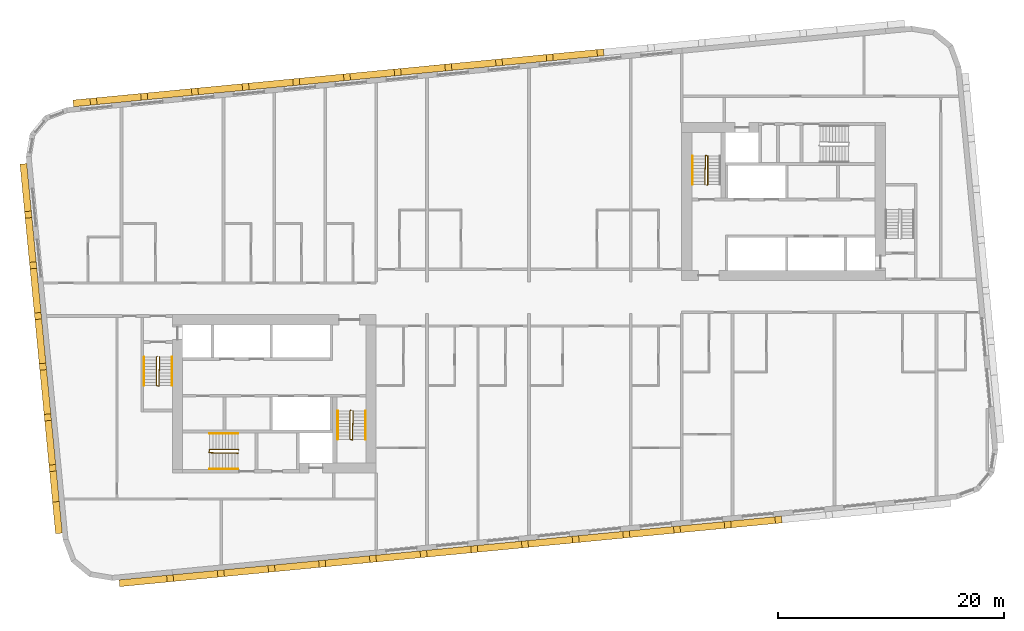
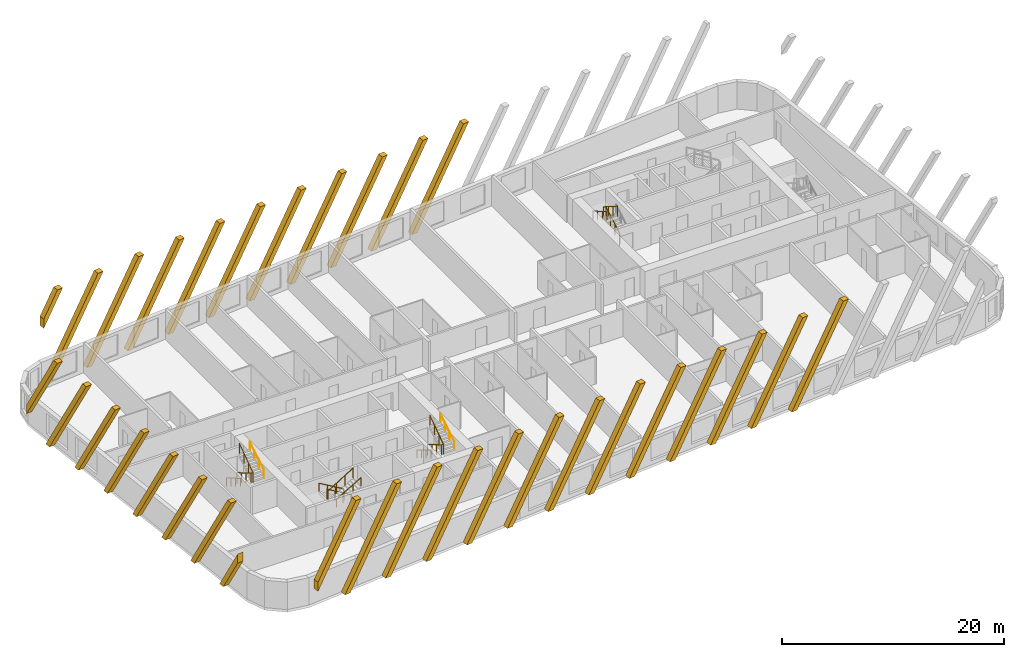
# One storey, part 12 of 13: 32 coverings, 11 railings.
"""IFC4 building model written with IfcOpenShell, lengths in metres."""

from ifc_helpers import new_model, si_unit, direction, frame, origin, origin_2d, place, context, subcontext, project, spatial, polyline, rectangle, circle, outline, extrude, material, material_profile, profile_set, type_object, element, save


model = new_model("IFC4")

# Units and contexts
model_context = context("Model", 3, precision=1e-05, world=origin(), true_north=direction((0.0, 1.0)))
body_context = subcontext(model_context, "Body", "Model", "MODEL_VIEW")
ifc_project = project(units=[si_unit("LENGTHUNIT", "METRE"), si_unit("AREAUNIT", "SQUARE_METRE"), si_unit("VOLUMEUNIT", "CUBIC_METRE"), si_unit("PLANEANGLEUNIT", "RADIAN"), si_unit("MASSUNIT", "GRAM", prefix="KILO")], contexts=[model_context])

# Site, building, storey
site_placement = place(None, origin())
site = spatial("IfcSite", under=ifc_project, at=site_placement, CompositionType="ELEMENT")
building_placement = place(site_placement, origin())
building = spatial("IfcBuilding", under=site, at=building_placement, Name="Kajstack Hotel Tower", CompositionType="ELEMENT")
storey_placement = place(building_placement, frame((0.0, 0.0, 176.800048828125)))
storey = spatial("IfcBuildingStorey", under=building, at=storey_placement, Name="L41", CompositionType="ELEMENT", Elevation=176.800048828125)

# Coverings
ifc_material_1 = material(Name="Terracotta", Category="masonry")
ifc_material_profile = material_profile(ifc_material_1, rectangle(XDim=0.60009765625, YDim=0.5, at=origin_2d()), Name="Terracotta-clad concrete baguette 500 x 600")
ifc_profile_set = profile_set([ifc_material_profile], Name="Terracotta")
covering_type = type_object("IfcCoveringType", Name="BAGUETTE 500x600", PredefinedType="CLADDING", material=ifc_profile_set)
covering_1_placement = place(storey_placement, frame((-44.380859375, 11.846923828125, 0.0), z_axis=(-0.995377661201, -0.096038073607, 0.0), x_axis=(0.096038073607, -0.995377661201, 0.0)))
element("IfcCovering", 1, at=covering_1_placement, inside=storey, type_object=covering_type, Name="Baguette L41-00-001", PredefinedType="CLADDING", context=body_context, shape_type="SweptSolid", body=[
    extrude(outline(polyline([(4.21142578125, 9.89990234375), (0.0, 2.605712890625), (0.0, 1.605712890625), (4.78857421875, 9.89990234375), (4.21142578125, 9.89990234375)])), origin(), (0.0, 0.0, 1.0), 0.599853515625),
])
for number, where, z_axis, x_axis, name in (
    (2, (-44.09375, 8.864990234375, 0.0), (-0.995416482233, -0.095634862357, 0.0), (0.095634862357, -0.995416482233, 0.0), "Baguette L41-00-005"),
    (3, (-43.662353515625, 4.3857421875, 0.0), (-0.995416482233, -0.095634862357, 0.0), (0.095634862357, -0.995416482233, 0.0), "Baguette L41-00-009"),
    (4, (-43.231201171875, -0.093505859375, 0.0), (-0.995416482233, -0.095634862357, 0.0), (0.095634862357, -0.995416482233, 0.0), "Baguette L41-00-013"),
    (5, (-42.7998046875, -4.57275390625, 0.0), (-0.995377661201, -0.096038073607, 0.0), (0.096038073607, -0.995377661201, 0.0), "Baguette L41-00-017"),
):
    element("IfcCovering", number, at=place(storey_placement, frame(where, z_axis=z_axis, x_axis=x_axis)), inside=storey, type_object=covering_type, Name=name, PredefinedType="CLADDING", context=body_context, shape_type="SweptSolid", body=[
        extrude(outline(polyline([(5.7158203125, 9.89990234375), (0.0, 0.0), (0.577392578125, 0.0), (6.293212890625, 9.89990234375), (5.7158203125, 9.89990234375)])), origin(), (0.0, 0.0, 1.0), 0.599853515625),
    ])
covering_2_placement = place(storey_placement, frame((-42.368408203125, -9.052001953125, 0.0), z_axis=(-0.995381412265, -0.095999188106, 0.0), x_axis=(0.095999188106, -0.995381412265, 0.0)))
element("IfcCovering", 6, at=covering_2_placement, inside=storey, type_object=covering_type, Name="Baguette L41-00-021", PredefinedType="CLADDING", context=body_context, shape_type="SweptSolid", body=[
    extrude(outline(polyline([(5.7158203125, 9.89990234375), (0.0, 0.0), (0.577392578125, 0.0), (6.293212890625, 9.89990234375), (5.7158203125, 9.89990234375)])), origin(), (0.0, 0.0, 1.0), 0.60009765625),
])
covering_3_placement = place(storey_placement, frame((-41.937255859375, -13.53125, 0.0), z_axis=(-0.995377661201, -0.096038073607, 0.0), x_axis=(0.096038073607, -0.995377661201, 0.0)))
element("IfcCovering", 7, at=covering_3_placement, inside=storey, type_object=covering_type, Name="Baguette L41-00-025", PredefinedType="CLADDING", context=body_context, shape_type="SweptSolid", body=[
    extrude(outline(polyline([(5.7158203125, 9.89990234375), (0.0, 0.0), (0.577392578125, 0.0), (6.293212890625, 9.89990234375), (5.7158203125, 9.89990234375)])), origin(), (0.0, 0.0, 1.0), 0.599853515625),
])
covering_4_placement = place(storey_placement, frame((-41.505859375, -18.0107421875, 0.0), z_axis=(-0.995416482233, -0.095634862357, 0.0), x_axis=(0.095634862357, -0.995416482233, 0.0)))
element("IfcCovering", 8, at=covering_4_placement, inside=storey, type_object=covering_type, Name="Baguette L41-00-029", PredefinedType="CLADDING", context=body_context, shape_type="SweptSolid", body=[
    extrude(outline(polyline([(0.577392578125, 0.0), (2.804443359375, 3.857177734375), (2.804443359375, 4.857177734375), (0.0, 0.0), (0.577392578125, 0.0)])), origin(), (0.0, 0.0, 1.0), 0.599853515625),
])
covering_5_placement = place(storey_placement, frame((-36.21728515625, -24.93994140625, 0.0), z_axis=(0.095634862357, -0.995416482233, 0.0), x_axis=(0.995416482233, 0.095634862357, 0.0)))
element("IfcCovering", 9, at=covering_5_placement, inside=storey, type_object=covering_type, Name="Baguette L41-04-001", PredefinedType="CLADDING", context=body_context, shape_type="SweptSolid", body=[
    extrude(outline(polyline([(4.21142578125, 9.89990234375), (0.0, 2.605712890625), (0.0, 1.605712890625), (4.78857421875, 9.89990234375), (4.21142578125, 9.89990234375)])), origin(), (0.0, 0.0, 1.0), 0.599853515625),
])
for number, where, z_axis, x_axis, name in (
    (10, (-33.235595703125, -24.65283203125, 0.0), (0.096038073607, -0.995377661201, 0.0), (0.995377661201, 0.096038073607, 0.0), "Baguette L41-04-005"),
    (11, (-28.75634765625, -24.2216796875, 0.0), (0.096038073607, -0.995377661201, 0.0), (0.995377661201, 0.096038073607, 0.0), "Baguette L41-04-009"),
    (12, (-24.277099609375, -23.790283203125, 0.0), (0.096038073607, -0.995377661201, 0.0), (0.995377661201, 0.096038073607, 0.0), "Baguette L41-04-013"),
):
    element("IfcCovering", number, at=place(storey_placement, frame(where, z_axis=z_axis, x_axis=x_axis)), inside=storey, type_object=covering_type, Name=name, PredefinedType="CLADDING", context=body_context, shape_type="SweptSolid", body=[
        extrude(outline(polyline([(5.7158203125, 9.89990234375), (0.0, 0.0), (0.577392578125, 0.0), (6.293212890625, 9.89990234375), (5.7158203125, 9.89990234375)])), origin(), (0.0, 0.0, 1.0), 0.599853515625),
    ])
covering_6_placement = place(storey_placement, frame((-19.7978515625, -23.35888671875, 0.0), z_axis=(0.095999188106, -0.995381412265, 0.0), x_axis=(0.995381412265, 0.095999188106, 0.0)))
element("IfcCovering", 13, at=covering_6_placement, inside=storey, type_object=covering_type, Name="Baguette L41-04-017", PredefinedType="CLADDING", context=body_context, shape_type="SweptSolid", body=[
    extrude(outline(polyline([(5.7158203125, 9.89990234375), (0.0, 0.0), (0.577392578125, 0.0), (6.293212890625, 9.89990234375), (5.7158203125, 9.89990234375)])), origin(), (0.0, 0.0, 1.0), 0.60009765625),
])
for number, where, z_axis, x_axis, name in (
    (14, (-15.318359375, -22.927734375, 0.0), (0.095634862357, -0.995416482233, 0.0), (0.995416482233, 0.095634862357, 0.0), "Baguette L41-04-021"),
    (15, (-10.839111328125, -22.496337890625, 0.0), (0.095634862357, -0.995416482233, 0.0), (0.995416482233, 0.095634862357, 0.0), "Baguette L41-04-025"),
):
    element("IfcCovering", number, at=place(storey_placement, frame(where, z_axis=z_axis, x_axis=x_axis)), inside=storey, type_object=covering_type, Name=name, PredefinedType="CLADDING", context=body_context, shape_type="SweptSolid", body=[
        extrude(outline(polyline([(5.7158203125, 9.89990234375), (0.0, 0.0), (0.577392578125, 0.0), (6.293212890625, 9.89990234375), (5.7158203125, 9.89990234375)])), origin(), (0.0, 0.0, 1.0), 0.599853515625),
    ])
covering_7_placement = place(storey_placement, frame((-6.35986328125, -22.06494140625, 0.0), z_axis=(0.095596137095, -0.995420202011, 0.0), x_axis=(0.995420202011, 0.095596137095, 0.0)))
element("IfcCovering", 16, at=covering_7_placement, inside=storey, type_object=covering_type, Name="Baguette L41-04-029", PredefinedType="CLADDING", context=body_context, shape_type="SweptSolid", body=[
    extrude(outline(polyline([(5.7158203125, 9.89990234375), (0.0, 0.0), (0.577392578125, 0.0), (6.293212890625, 9.89990234375), (5.7158203125, 9.89990234375)])), origin(), (0.0, 0.0, 1.0), 0.60009765625),
])
covering_8_placement = place(storey_placement, frame((-1.880615234375, -21.6337890625, 0.0), z_axis=(0.096038073607, -0.995377661201, 0.0), x_axis=(0.995377661201, 0.096038073607, 0.0)))
element("IfcCovering", 17, at=covering_8_placement, inside=storey, type_object=covering_type, Name="Baguette L41-04-033", PredefinedType="CLADDING", context=body_context, shape_type="SweptSolid", body=[
    extrude(outline(polyline([(5.7158203125, 9.89990234375), (0.0, 0.0), (0.577392578125, 0.0), (6.293212890625, 9.89990234375), (5.7158203125, 9.89990234375)])), origin(), (0.0, 0.0, 1.0), 0.599853515625),
])
covering_9_placement = place(storey_placement, frame((2.5986328125, -21.202392578125, 0.0), z_axis=(0.095999188106, -0.995381412265, 0.0), x_axis=(0.995381412265, 0.095999188106, 0.0)))
element("IfcCovering", 18, at=covering_9_placement, inside=storey, type_object=covering_type, Name="Baguette L41-04-037", PredefinedType="CLADDING", context=body_context, shape_type="SweptSolid", body=[
    extrude(outline(polyline([(5.7158203125, 9.89990234375), (0.0, 0.0), (0.577392578125, 0.0), (6.293212890625, 9.89990234375), (5.7158203125, 9.89990234375)])), origin(), (0.0, 0.0, 1.0), 0.60009765625),
])
for number, where, z_axis, x_axis, name in (
    (19, (7.077880859375, -20.771240234375, 0.0), (0.096038073607, -0.995377661201, 0.0), (0.995377661201, 0.096038073607, 0.0), "Baguette L41-04-041"),
    (20, (11.55712890625, -20.33984375, 0.0), (0.096038073607, -0.995377661201, 0.0), (0.995377661201, 0.096038073607, 0.0), "Baguette L41-04-045"),
):
    element("IfcCovering", number, at=place(storey_placement, frame(where, z_axis=z_axis, x_axis=x_axis)), inside=storey, type_object=covering_type, Name=name, PredefinedType="CLADDING", context=body_context, shape_type="SweptSolid", body=[
        extrude(outline(polyline([(5.7158203125, 9.89990234375), (0.0, 0.0), (0.577392578125, 0.0), (6.293212890625, 9.89990234375), (5.7158203125, 9.89990234375)])), origin(), (0.0, 0.0, 1.0), 0.599853515625),
    ])
covering_10_placement = place(storey_placement, frame((16.03662109375, -19.908447265625, 0.0), z_axis=(0.095596137095, -0.995420202011, 0.0), x_axis=(0.995420202011, 0.095596137095, 0.0)))
element("IfcCovering", 21, at=covering_10_placement, inside=storey, type_object=covering_type, Name="Baguette L41-04-049", PredefinedType="CLADDING", context=body_context, shape_type="SweptSolid", body=[
    extrude(outline(polyline([(5.7158203125, 9.89990234375), (0.0, 0.0), (0.577392578125, 0.0), (6.293212890625, 9.89990234375), (5.7158203125, 9.89990234375)])), origin(), (0.0, 0.0, 1.0), 0.60009765625),
])
for number, where, z_axis, x_axis, name in (
    (22, (6.62890625, 21.3798828125, 0.0), (-0.095634862357, 0.995416482233, 0.0), (-0.995416482233, -0.095634862357, 0.0), "Baguette L41-12-029"),
    (23, (2.149658203125, 20.948486328125, 0.0), (-0.095634862357, 0.995416482233, 0.0), (-0.995416482233, -0.095634862357, 0.0), "Baguette L41-12-033"),
    (24, (-2.32958984375, 20.517333984375, 0.0), (-0.095634862357, 0.995416482233, 0.0), (-0.995416482233, -0.095634862357, 0.0), "Baguette L41-12-037"),
    (25, (-6.808837890625, 20.0859375, 0.0), (-0.096038073607, 0.995377661201, 0.0), (-0.995377661201, -0.096038073607, 0.0), "Baguette L41-12-041"),
):
    element("IfcCovering", number, at=place(storey_placement, frame(where, z_axis=z_axis, x_axis=x_axis)), inside=storey, type_object=covering_type, Name=name, PredefinedType="CLADDING", context=body_context, shape_type="SweptSolid", body=[
        extrude(outline(polyline([(0.0, 9.89990234375), (5.7158203125, 0.0), (6.293212890625, 0.0), (0.577392578125, 9.89990234375), (0.0, 9.89990234375)])), origin(), (0.0, 0.0, 1.0), 0.599853515625),
    ])
covering_11_placement = place(storey_placement, frame((-11.2880859375, 19.654541015625, 0.0), z_axis=(-0.095999188106, 0.995381412265, 0.0), x_axis=(-0.995381412265, -0.095999188106, 0.0)))
element("IfcCovering", 26, at=covering_11_placement, inside=storey, type_object=covering_type, Name="Baguette L41-12-045", PredefinedType="CLADDING", context=body_context, shape_type="SweptSolid", body=[
    extrude(outline(polyline([(0.0, 9.89990234375), (5.7158203125, 0.0), (6.293212890625, 0.0), (0.577392578125, 9.89990234375), (0.0, 9.89990234375)])), origin(), (0.0, 0.0, 1.0), 0.60009765625),
])
for number, where, z_axis, x_axis, name in (
    (27, (-15.767333984375, 19.223388671875, 0.0), (-0.096038073607, 0.995377661201, 0.0), (-0.995377661201, -0.096038073607, 0.0), "Baguette L41-12-049"),
    (28, (-20.24658203125, 18.7919921875, 0.0), (-0.096038073607, 0.995377661201, 0.0), (-0.995377661201, -0.096038073607, 0.0), "Baguette L41-12-053"),
):
    element("IfcCovering", number, at=place(storey_placement, frame(where, z_axis=z_axis, x_axis=x_axis)), inside=storey, type_object=covering_type, Name=name, PredefinedType="CLADDING", context=body_context, shape_type="SweptSolid", body=[
        extrude(outline(polyline([(0.0, 9.89990234375), (5.7158203125, 0.0), (6.293212890625, 0.0), (0.577392578125, 9.89990234375), (0.0, 9.89990234375)])), origin(), (0.0, 0.0, 1.0), 0.599853515625),
    ])
covering_12_placement = place(storey_placement, frame((-24.72607421875, 18.360595703125, 0.0), z_axis=(-0.095596137095, 0.995420202011, 0.0), x_axis=(-0.995420202011, -0.095596137095, 0.0)))
element("IfcCovering", 29, at=covering_12_placement, inside=storey, type_object=covering_type, Name="Baguette L41-12-057", PredefinedType="CLADDING", context=body_context, shape_type="SweptSolid", body=[
    extrude(outline(polyline([(0.0, 9.89990234375), (5.7158203125, 0.0), (6.293212890625, 0.0), (0.577392578125, 9.89990234375), (0.0, 9.89990234375)])), origin(), (0.0, 0.0, 1.0), 0.60009765625),
])
covering_13_placement = place(storey_placement, frame((-29.205322265625, 17.929443359375, 0.0), z_axis=(-0.095634862357, 0.995416482233, 0.0), x_axis=(-0.995416482233, -0.095634862357, 0.0)))
element("IfcCovering", 30, at=covering_13_placement, inside=storey, type_object=covering_type, Name="Baguette L41-12-061", PredefinedType="CLADDING", context=body_context, shape_type="SweptSolid", body=[
    extrude(outline(polyline([(0.0, 9.89990234375), (5.7158203125, 0.0), (6.293212890625, 0.0), (0.577392578125, 9.89990234375), (0.0, 9.89990234375)])), origin(), (0.0, 0.0, 1.0), 0.599853515625),
])
covering_14_placement = place(storey_placement, frame((-33.6845703125, 17.498046875, 0.0), z_axis=(-0.095596137095, 0.995420202011, 0.0), x_axis=(-0.995420202011, -0.095596137095, 0.0)))
element("IfcCovering", 31, at=covering_14_placement, inside=storey, type_object=covering_type, Name="Baguette L41-12-065", PredefinedType="CLADDING", context=body_context, shape_type="SweptSolid", body=[
    extrude(outline(polyline([(0.0, 9.89990234375), (5.7158203125, 0.0), (6.293212890625, 0.0), (0.577392578125, 9.89990234375), (0.0, 9.89990234375)])), origin(), (0.0, 0.0, 1.0), 0.60009765625),
])
covering_15_placement = place(storey_placement, frame((-38.163818359375, 17.06689453125, 0.0), z_axis=(-0.095634862357, 0.995416482233, 0.0), x_axis=(-0.995416482233, -0.095634862357, 0.0)))
element("IfcCovering", 32, at=covering_15_placement, inside=storey, type_object=covering_type, Name="Baguette L41-12-069", PredefinedType="CLADDING", context=body_context, shape_type="SweptSolid", body=[
    extrude(outline(polyline([(0.0, 9.89990234375), (2.088623046875, 6.2822265625), (2.088623046875, 7.2822265625), (0.577392578125, 9.89990234375), (0.0, 9.89990234375)])), origin(), (0.0, 0.0, 1.0), 0.599853515625),
])

# Railings
ifc_material_2 = material(Name="Steel S355J2", Category="steel")
railing_type_1 = type_object("IfcRailingType", Name="Stair guard 1100", PredefinedType="GUARDRAIL", material=ifc_material_2)
railing_1_placement = place(storey_placement, frame((-32.85009765625, -5.199951171875, 0.0)))
element("IfcRailing", 33, at=railing_1_placement, inside=storey, type_object=railing_type_1, Name="L41 W1 stair guard 1", PredefinedType="GUARDRAIL", context=body_context, shape_type="SweptSolid", body=[
    extrude(circle(Radius=0.02392578125, at=origin_2d()), frame((0.0, 0.0, 1.076171875), z_axis=(-0.277450376394, -0.278810427259, 0.919394384522), x_axis=(0.708833529934, -0.705375805398, 0.0)), (0.0, 0.0, 1.0), 0.179443359375),
    extrude(circle(Radius=0.02392578125, at=origin_2d()), frame((-0.0498046875, -0.050048828125, 1.2412109375), z_axis=(0.0, -0.861560626758, 0.507654692109), x_axis=(1.0, 0.0, 0.0)), (0.0, 0.0, 1.0), 2.925048828125),
    extrude(circle(Radius=0.02392578125, at=origin_2d()), frame((-0.0498046875, -2.570068359375, 2.72607421875), z_axis=(0.970072785993, -0.242814311512, 0.0), x_axis=(0.242814311512, 0.970072785993, 0.0)), (0.0, 0.0, 1.0), 0.2060546875),
    extrude(circle(Radius=0.02392578125, at=origin_2d()), frame((0.150146484375, -2.6201171875, 2.72607421875), z_axis=(0.016384601254, 0.84136925563, 0.540212292087), x_axis=(-0.999810440751, 0.019470042781, 0.0)), (0.0, 0.0, 1.0), 3.0546875),
    extrude(circle(Radius=0.02099609375, at=origin_2d()), origin(), (0.0, 0.0, 1.0), 1.052001953125),
    extrude(circle(Radius=0.02099609375, at=origin_2d()), frame((-0.0498046875, -0.050048828125, 0.1650390625)), (0.0, 0.0, 1.0), 1.052001953125),
    extrude(circle(Radius=0.02099609375, at=origin_2d()), frame((-0.0498046875, -0.89013671875, 0.659912109375)), (0.0, 0.0, 1.0), 1.052001953125),
    extrude(circle(Radius=0.02099609375, at=origin_2d()), frame((-0.0498046875, -1.72998046875, 1.155029296875)), (0.0, 0.0, 1.0), 1.052001953125),
    extrude(circle(Radius=0.02099609375, at=origin_2d()), frame((-0.0498046875, -2.570068359375, 1.64990234375)), (0.0, 0.0, 1.0), 1.052001953125),
    extrude(circle(Radius=0.02099609375, at=origin_2d()), frame((0.150146484375, -2.6201171875, 1.64990234375)), (0.0, 0.0, 1.0), 1.052001953125),
    extrude(circle(Radius=0.02099609375, at=origin_2d()), frame((0.166748046875, -1.763427734375, 2.199951171875)), (0.0, 0.0, 1.0), 1.052001953125),
    extrude(circle(Radius=0.02099609375, at=origin_2d()), frame((0.18359375, -0.90673828125, 2.75)), (0.0, 0.0, 1.0), 1.052001953125),
    extrude(circle(Radius=0.02099609375, at=origin_2d()), frame((0.2001953125, -0.050048828125, 3.300048828125)), (0.0, 0.0, 1.0), 1.052001953125),
])
railing_2_placement = place(storey_placement, frame((-15.75, -9.949951171875, 0.0)))
element("IfcRailing", 34, at=railing_2_placement, inside=storey, type_object=railing_type_1, Name="L41 W2 stair guard 1", PredefinedType="GUARDRAIL", context=body_context, shape_type="SweptSolid", body=[
    extrude(circle(Radius=0.02392578125, at=origin_2d()), frame((0.0, 0.0, 1.076171875), z_axis=(-0.278705021027, -0.278705021027, 0.919046801044), x_axis=(0.707106781187, -0.707106781187, 0.0)), (0.0, 0.0, 1.0), 0.1796875),
    extrude(circle(Radius=0.02392578125, at=origin_2d()), frame((-0.050048828125, -0.050048828125, 1.2412109375), z_axis=(0.0, -0.861560626758, 0.507654692109), x_axis=(1.0, 0.0, 0.0)), (0.0, 0.0, 1.0), 2.925048828125),
    extrude(circle(Radius=0.02392578125, at=origin_2d()), frame((-0.050048828125, -2.570068359375, 2.72607421875), z_axis=(0.970072785993, -0.242814311512, 0.0), x_axis=(0.242814311512, 0.970072785993, 0.0)), (0.0, 0.0, 1.0), 0.2060546875),
    extrude(circle(Radius=0.02392578125, at=origin_2d()), frame((0.14990234375, -2.6201171875, 2.72607421875), z_axis=(0.016384601254, 0.84136925563, 0.540212292087), x_axis=(-0.999810440751, 0.019470042781, 0.0)), (0.0, 0.0, 1.0), 3.0546875),
    extrude(circle(Radius=0.02099609375, at=origin_2d()), origin(), (0.0, 0.0, 1.0), 1.052001953125),
    extrude(circle(Radius=0.02099609375, at=origin_2d()), frame((-0.050048828125, -0.050048828125, 0.1650390625)), (0.0, 0.0, 1.0), 1.052001953125),
    extrude(circle(Radius=0.02099609375, at=origin_2d()), frame((-0.050048828125, -0.89013671875, 0.659912109375)), (0.0, 0.0, 1.0), 1.052001953125),
    extrude(circle(Radius=0.02099609375, at=origin_2d()), frame((-0.050048828125, -1.72998046875, 1.155029296875)), (0.0, 0.0, 1.0), 1.052001953125),
    extrude(circle(Radius=0.02099609375, at=origin_2d()), frame((-0.050048828125, -2.570068359375, 1.64990234375)), (0.0, 0.0, 1.0), 1.052001953125),
    extrude(circle(Radius=0.02099609375, at=origin_2d()), frame((0.14990234375, -2.6201171875, 1.64990234375)), (0.0, 0.0, 1.0), 1.052001953125),
    extrude(circle(Radius=0.02099609375, at=origin_2d()), frame((0.16650390625, -1.763427734375, 2.199951171875)), (0.0, 0.0, 1.0), 1.052001953125),
    extrude(circle(Radius=0.02099609375, at=origin_2d()), frame((0.183349609375, -0.90673828125, 2.75)), (0.0, 0.0, 1.0), 1.052001953125),
    extrude(circle(Radius=0.02099609375, at=origin_2d()), frame((0.199951171875, -0.050048828125, 3.300048828125)), (0.0, 0.0, 1.0), 1.052001953125),
])
railing_3_placement = place(storey_placement, frame((-25.64990234375, -13.449951171875, 0.0)))
element("IfcRailing", 35, at=railing_3_placement, inside=storey, type_object=railing_type_1, Name="L41 W3 stair guard 1", PredefinedType="GUARDRAIL", context=body_context, shape_type="SweptSolid", body=[
    extrude(circle(Radius=0.02392578125, at=origin_2d()), frame((0.0, 0.0, 1.076171875), z_axis=(-0.278705021027, 0.278705021027, 0.919046801044), x_axis=(-0.707106781187, -0.707106781187, 0.0)), (0.0, 0.0, 1.0), 0.1796875),
    extrude(circle(Radius=0.02392578125, at=origin_2d()), frame((-0.050048828125, 0.050048828125, 1.2412109375), z_axis=(-0.861560626758, 0.0, 0.507654692109), x_axis=(0.0, -1.0, 0.0)), (0.0, 0.0, 1.0), 2.925048828125),
    extrude(circle(Radius=0.02392578125, at=origin_2d()), frame((-2.570068359375, 0.050048828125, 2.72607421875), z_axis=(-0.164529134168, -0.986372223864, 0.0), x_axis=(0.986372223864, -0.164529134168, 0.0)), (0.0, 0.0, 1.0), 0.30419921875),
    extrude(circle(Radius=0.02392578125, at=origin_2d()), frame((-2.6201171875, -0.25, 2.72607421875), z_axis=(0.84136925563, -0.016384601254, 0.540212292087), x_axis=(0.019470042781, 0.999810440751, 0.0)), (0.0, 0.0, 1.0), 3.0546875),
    extrude(circle(Radius=0.02099609375, at=origin_2d()), origin(), (0.0, 0.0, 1.0), 1.052001953125),
    extrude(circle(Radius=0.02099609375, at=origin_2d()), frame((-0.050048828125, 0.050048828125, 0.1650390625)), (0.0, 0.0, 1.0), 1.052001953125),
    extrude(circle(Radius=0.02099609375, at=origin_2d()), frame((-0.89013671875, 0.050048828125, 0.659912109375)), (0.0, 0.0, 1.0), 1.052001953125),
    extrude(circle(Radius=0.02099609375, at=origin_2d()), frame((-1.72998046875, 0.050048828125, 1.155029296875)), (0.0, 0.0, 1.0), 1.052001953125),
    extrude(circle(Radius=0.02099609375, at=origin_2d()), frame((-2.570068359375, 0.050048828125, 1.64990234375)), (0.0, 0.0, 1.0), 1.052001953125),
    extrude(circle(Radius=0.02099609375, at=origin_2d()), frame((-2.6201171875, -0.25, 1.64990234375)), (0.0, 0.0, 1.0), 1.052001953125),
    extrude(circle(Radius=0.02099609375, at=origin_2d()), frame((-1.763427734375, -0.2666015625, 2.199951171875)), (0.0, 0.0, 1.0), 1.052001953125),
    extrude(circle(Radius=0.02099609375, at=origin_2d()), frame((-0.90673828125, -0.283447265625, 2.75)), (0.0, 0.0, 1.0), 1.052001953125),
    extrude(circle(Radius=0.02099609375, at=origin_2d()), frame((-0.050048828125, -0.300048828125, 3.300048828125)), (0.0, 0.0, 1.0), 1.052001953125),
])
railing_4_placement = place(storey_placement, frame((15.75, 9.949951171875, 0.0)))
element("IfcRailing", 36, at=railing_4_placement, inside=storey, type_object=railing_type_1, Name="L41 E2 stair guard 1", PredefinedType="GUARDRAIL", context=body_context, shape_type="SweptSolid", body=[
    extrude(circle(Radius=0.02392578125, at=origin_2d()), frame((0.0, 0.0, 1.076171875), z_axis=(0.278705021027, 0.278705021027, 0.919046801044), x_axis=(-0.707106781187, 0.707106781187, 0.0)), (0.0, 0.0, 1.0), 0.1796875),
    extrude(circle(Radius=0.02392578125, at=origin_2d()), frame((0.050048828125, 0.050048828125, 1.2412109375), z_axis=(0.0, 0.861560626758, 0.507654692109), x_axis=(-1.0, 0.0, 0.0)), (0.0, 0.0, 1.0), 2.925048828125),
    extrude(circle(Radius=0.02392578125, at=origin_2d()), frame((0.050048828125, 2.570068359375, 2.72607421875), z_axis=(-0.970072785993, 0.242814311512, 0.0), x_axis=(-0.242814311512, -0.970072785993, 0.0)), (0.0, 0.0, 1.0), 0.2060546875),
    extrude(circle(Radius=0.02392578125, at=origin_2d()), frame((-0.14990234375, 2.6201171875, 2.72607421875), z_axis=(-0.016384601254, -0.84136925563, 0.540212292087), x_axis=(0.999810440751, -0.019470042781, 0.0)), (0.0, 0.0, 1.0), 3.0546875),
    extrude(circle(Radius=0.02099609375, at=origin_2d()), origin(), (0.0, 0.0, 1.0), 1.052001953125),
    extrude(circle(Radius=0.02099609375, at=origin_2d()), frame((0.050048828125, 0.050048828125, 0.1650390625)), (0.0, 0.0, 1.0), 1.052001953125),
    extrude(circle(Radius=0.02099609375, at=origin_2d()), frame((0.050048828125, 0.89013671875, 0.659912109375)), (0.0, 0.0, 1.0), 1.052001953125),
    extrude(circle(Radius=0.02099609375, at=origin_2d()), frame((0.050048828125, 1.72998046875, 1.155029296875)), (0.0, 0.0, 1.0), 1.052001953125),
    extrude(circle(Radius=0.02099609375, at=origin_2d()), frame((0.050048828125, 2.570068359375, 1.64990234375)), (0.0, 0.0, 1.0), 1.052001953125),
    extrude(circle(Radius=0.02099609375, at=origin_2d()), frame((-0.14990234375, 2.6201171875, 1.64990234375)), (0.0, 0.0, 1.0), 1.052001953125),
    extrude(circle(Radius=0.02099609375, at=origin_2d()), frame((-0.16650390625, 1.763427734375, 2.199951171875)), (0.0, 0.0, 1.0), 1.052001953125),
    extrude(circle(Radius=0.02099609375, at=origin_2d()), frame((-0.183349609375, 0.90673828125, 2.75)), (0.0, 0.0, 1.0), 1.052001953125),
    extrude(circle(Radius=0.02099609375, at=origin_2d()), frame((-0.199951171875, 0.050048828125, 3.300048828125)), (0.0, 0.0, 1.0), 1.052001953125),
])
railing_type_2 = type_object("IfcRailingType", Name="Stair handrail 900", PredefinedType="HANDRAIL", material=ifc_material_2)
railing_5_placement = place(storey_placement, frame((-34.0, -5.25, 0.1650390625)))
element("IfcRailing", 37, at=railing_5_placement, inside=storey, type_object=railing_type_2, Name="L41 W1 stair handrail 1", PredefinedType="HANDRAIL", context=body_context, shape_type="SweptSolid", body=[
    extrude(circle(Radius=0.02392578125, at=origin_2d()), frame((0.0, 0.0, 0.8759765625), z_axis=(0.0, -0.861560626758, 0.507654692109), x_axis=(1.0, 0.0, 0.0)), (0.0, 0.0, 1.0), 2.925048828125),
    extrude(circle(Radius=0.02099609375, at=origin_2d()), origin(), (0.0, 0.0, 1.0), 0.851806640625),
    extrude(circle(Radius=0.02099609375, at=origin_2d()), frame((0.0, -0.840087890625, 0.494873046875)), (0.0, 0.0, 1.0), 0.851806640625),
    extrude(circle(Radius=0.02099609375, at=origin_2d()), frame((0.0, -1.679931640625, 0.989990234375)), (0.0, 0.0, 1.0), 0.851806640625),
    extrude(circle(Radius=0.02099609375, at=origin_2d()), frame((0.0, -2.52001953125, 1.48486328125)), (0.0, 0.0, 1.0), 0.851806640625),
])
railing_6_placement = place(storey_placement, frame((-31.550048828125, -7.77001953125, 1.81494140625)))
element("IfcRailing", 38, at=railing_6_placement, inside=storey, type_object=railing_type_2, Name="L41 W1 stair handrail 2", PredefinedType="HANDRAIL", context=body_context, shape_type="SweptSolid", body=[
    extrude(circle(Radius=0.02392578125, at=origin_2d()), frame((0.0, 0.0, 0.8759765625), z_axis=(0.0, 0.86152411907, 0.507716645641), x_axis=(-1.0, 0.0, 0.0)), (0.0, 0.0, 1.0), 2.925048828125),
    extrude(circle(Radius=0.02099609375, at=origin_2d()), origin(), (0.0, 0.0, 1.0), 0.851806640625),
    extrude(circle(Radius=0.02099609375, at=origin_2d()), frame((0.0, 0.840087890625, 0.4951171875)), (0.0, 0.0, 1.0), 0.851806640625),
    extrude(circle(Radius=0.02099609375, at=origin_2d()), frame((0.0, 1.679931640625, 0.989990234375)), (0.0, 0.0, 1.0), 0.851806640625),
    extrude(circle(Radius=0.02099609375, at=origin_2d()), frame((0.0, 2.52001953125, 1.485107421875)), (0.0, 0.0, 1.0), 0.851806640625),
])
railing_7_placement = place(storey_placement, frame((-16.89990234375, -10.0, 0.1650390625)))
element("IfcRailing", 39, at=railing_7_placement, inside=storey, type_object=railing_type_2, Name="L41 W2 stair handrail 1", PredefinedType="HANDRAIL", context=body_context, shape_type="SweptSolid", body=[
    extrude(circle(Radius=0.02392578125, at=origin_2d()), frame((0.0, 0.0, 0.8759765625), z_axis=(0.0, -0.861560626758, 0.507654692109), x_axis=(1.0, 0.0, 0.0)), (0.0, 0.0, 1.0), 2.925048828125),
    extrude(circle(Radius=0.02099609375, at=origin_2d()), origin(), (0.0, 0.0, 1.0), 0.851806640625),
    extrude(circle(Radius=0.02099609375, at=origin_2d()), frame((0.0, -0.840087890625, 0.494873046875)), (0.0, 0.0, 1.0), 0.851806640625),
    extrude(circle(Radius=0.02099609375, at=origin_2d()), frame((0.0, -1.679931640625, 0.989990234375)), (0.0, 0.0, 1.0), 0.851806640625),
    extrude(circle(Radius=0.02099609375, at=origin_2d()), frame((0.0, -2.52001953125, 1.48486328125)), (0.0, 0.0, 1.0), 0.851806640625),
])
railing_8_placement = place(storey_placement, frame((-14.449951171875, -12.52001953125, 1.81494140625)))
element("IfcRailing", 40, at=railing_8_placement, inside=storey, type_object=railing_type_2, Name="L41 W2 stair handrail 2", PredefinedType="HANDRAIL", context=body_context, shape_type="SweptSolid", body=[
    extrude(circle(Radius=0.02392578125, at=origin_2d()), frame((0.0, 0.0, 0.8759765625), z_axis=(0.0, 0.86152411907, 0.507716645641), x_axis=(-1.0, 0.0, 0.0)), (0.0, 0.0, 1.0), 2.925048828125),
    extrude(circle(Radius=0.02099609375, at=origin_2d()), origin(), (0.0, 0.0, 1.0), 0.851806640625),
    extrude(circle(Radius=0.02099609375, at=origin_2d()), frame((0.0, 0.840087890625, 0.4951171875)), (0.0, 0.0, 1.0), 0.851806640625),
    extrude(circle(Radius=0.02099609375, at=origin_2d()), frame((0.0, 1.679931640625, 0.989990234375)), (0.0, 0.0, 1.0), 0.851806640625),
    extrude(circle(Radius=0.02099609375, at=origin_2d()), frame((0.0, 2.52001953125, 1.485107421875)), (0.0, 0.0, 1.0), 0.851806640625),
])
railing_9_placement = place(storey_placement, frame((-25.699951171875, -12.0, 0.1650390625)))
element("IfcRailing", 41, at=railing_9_placement, inside=storey, type_object=railing_type_2, Name="L41 W3 stair handrail 1", PredefinedType="HANDRAIL", context=body_context, shape_type="SweptSolid", body=[
    extrude(circle(Radius=0.02392578125, at=origin_2d()), frame((0.0, 0.0, 0.8759765625), z_axis=(-0.861560626758, 0.0, 0.507654692109), x_axis=(0.0, -1.0, 0.0)), (0.0, 0.0, 1.0), 2.925048828125),
    extrude(circle(Radius=0.02099609375, at=origin_2d()), origin(), (0.0, 0.0, 1.0), 0.851806640625),
    extrude(circle(Radius=0.02099609375, at=origin_2d()), frame((-0.840087890625, 0.0, 0.494873046875)), (0.0, 0.0, 1.0), 0.851806640625),
    extrude(circle(Radius=0.02099609375, at=origin_2d()), frame((-1.679931640625, 0.0, 0.989990234375)), (0.0, 0.0, 1.0), 0.851806640625),
    extrude(circle(Radius=0.02099609375, at=origin_2d()), frame((-2.52001953125, 0.0, 1.48486328125)), (0.0, 0.0, 1.0), 0.851806640625),
])
railing_10_placement = place(storey_placement, frame((-28.219970703125, -15.14990234375, 1.81494140625)))
element("IfcRailing", 42, at=railing_10_placement, inside=storey, type_object=railing_type_2, Name="L41 W3 stair handrail 2", PredefinedType="HANDRAIL", context=body_context, shape_type="SweptSolid", body=[
    extrude(circle(Radius=0.02392578125, at=origin_2d()), frame((0.0, 0.0, 0.8759765625), z_axis=(0.86152411907, 0.0, 0.507716645641), x_axis=(0.0, 1.0, 0.0)), (0.0, 0.0, 1.0), 2.925048828125),
    extrude(circle(Radius=0.02099609375, at=origin_2d()), origin(), (0.0, 0.0, 1.0), 0.851806640625),
    extrude(circle(Radius=0.02099609375, at=origin_2d()), frame((0.840087890625, 0.0, 0.4951171875)), (0.0, 0.0, 1.0), 0.851806640625),
    extrude(circle(Radius=0.02099609375, at=origin_2d()), frame((1.679931640625, 0.0, 0.989990234375)), (0.0, 0.0, 1.0), 0.851806640625),
    extrude(circle(Radius=0.02099609375, at=origin_2d()), frame((2.52001953125, 0.0, 1.485107421875)), (0.0, 0.0, 1.0), 0.851806640625),
])
railing_11_placement = place(storey_placement, frame((14.449951171875, 12.52001953125, 1.81494140625)))
element("IfcRailing", 43, at=railing_11_placement, inside=storey, type_object=railing_type_2, Name="L41 E2 stair handrail 2", PredefinedType="HANDRAIL", context=body_context, shape_type="SweptSolid", body=[
    extrude(circle(Radius=0.02392578125, at=origin_2d()), frame((0.0, 0.0, 0.8759765625), z_axis=(0.0, -0.86152411907, 0.507716645641), x_axis=(1.0, 0.0, 0.0)), (0.0, 0.0, 1.0), 2.925048828125),
    extrude(circle(Radius=0.02099609375, at=origin_2d()), origin(), (0.0, 0.0, 1.0), 0.851806640625),
    extrude(circle(Radius=0.02099609375, at=origin_2d()), frame((0.0, -0.840087890625, 0.4951171875)), (0.0, 0.0, 1.0), 0.851806640625),
    extrude(circle(Radius=0.02099609375, at=origin_2d()), frame((0.0, -1.679931640625, 0.989990234375)), (0.0, 0.0, 1.0), 0.851806640625),
    extrude(circle(Radius=0.02099609375, at=origin_2d()), frame((0.0, -2.52001953125, 1.485107421875)), (0.0, 0.0, 1.0), 0.851806640625),
])

save(model, "model.ifc")
